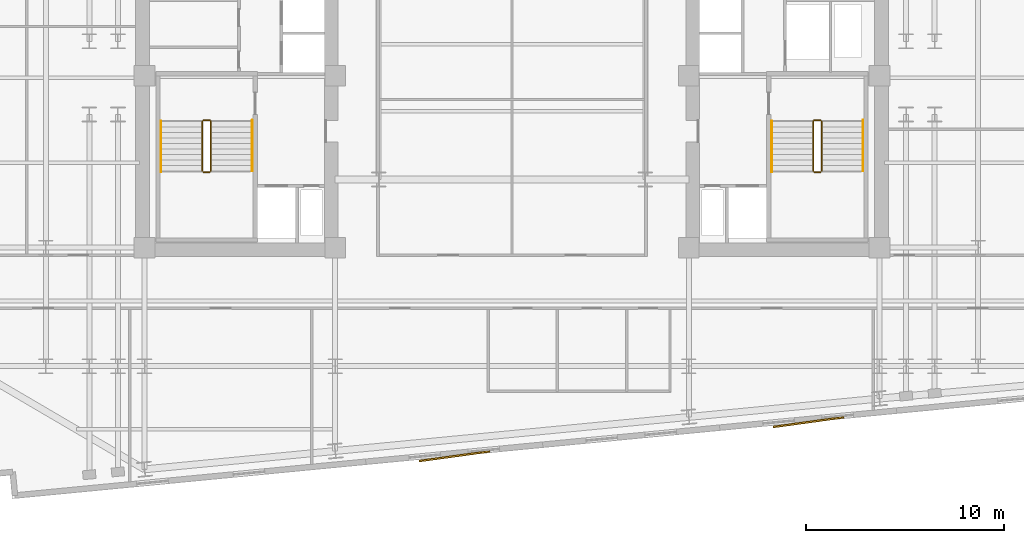
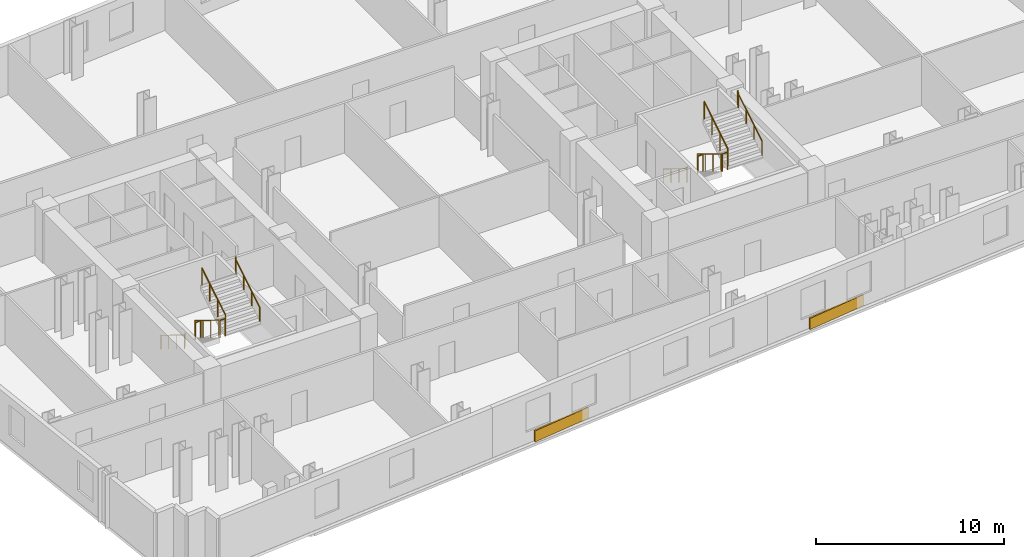
# One storey, part 10 of 11: 12 railings, 2 coverings.
"""IFC4 building model written with IfcOpenShell, lengths in metres."""

import ifcopenshell
import ifcopenshell.guid

model = None  # the IFC model being written
_history = None  # IfcOwnerHistory: only IFC2X3 demands one
_inside = {}  # id of a spatial element -> (the spatial element, [elements in it])
_under = {}  # id of a project, library or spatial element -> (it, [spatial elements below it])
_declared = {}  # id of a project -> (the project, [libraries it declares])
_typed = {}  # id of a type object -> (the type object, [elements of that type])
_made_of = {}  # id of a material, layer set ... -> (it, [elements and type objects made of it])


def new_model(schema):
    """Start an empty IFC model of exactly this schema.

    Asked for "IFC4X3", IfcOpenShell would pick the latest addendum, in which some entities
    have other attributes; the version numbers below select the first issue.
    IFC2X3 requires an IfcOwnerHistory on every rooted entity: one is made here for all.
    """
    global model, _history
    if schema == "IFC4X3":
        model = ifcopenshell.file(schema_version=(4, 3, 0, 0))
    else:
        model = ifcopenshell.file(schema=schema)
    _inside.clear()
    _under.clear()
    _declared.clear()
    _typed.clear()
    _made_of.clear()
    _history = None
    if model.schema == "IFC2X3":
        org = make("IfcOrganization", Name="unknown")
        user = make(
            "IfcPersonAndOrganization",
            ThePerson=make("IfcPerson", FamilyName="unknown"),
            TheOrganization=org,
        )
        app = make(
            "IfcApplication",
            ApplicationDeveloper=org,
            Version="unknown",
            ApplicationFullName="unknown",
            ApplicationIdentifier="unknown",
        )
        _history = make(
            "IfcOwnerHistory",
            OwningUser=user,
            OwningApplication=app,
            ChangeAction="ADDED",
            CreationDate=0,
        )
    return model


def make(cls, **values):
    """One entity of the class cls with the attributes given. An attribute that is None is left unset."""
    return model.create_entity(
        cls, **{name: value for name, value in values.items() if value is not None}
    )


def rooted(cls, **values):
    """An entity with a GlobalId (a new one), such as an element, a storey or a relation."""
    return make(cls, GlobalId=ifcopenshell.guid.new(), OwnerHistory=_history, **values)


def si_unit(unit_type, name, prefix=None):
    """IfcSIUnit, for example si_unit("LENGTHUNIT", "METRE", prefix="MILLI")."""
    return make("IfcSIUnit", UnitType=unit_type, Prefix=prefix, Name=name)


def assignment(units):
    """IfcUnitAssignment: the units of a project."""
    return None if units is None else make("IfcUnitAssignment", Units=units)


def point(xyz):
    """IfcCartesianPoint."""
    return None if xyz is None else make("IfcCartesianPoint", Coordinates=xyz)


def direction(xyz):
    """IfcDirection."""
    return None if xyz is None else make("IfcDirection", DirectionRatios=xyz)


def frame(location, z_axis=None, x_axis=None):
    """IfcAxis2Placement3D, a coordinate frame: its origin and axes. An axis left out is left unset."""
    return make(
        "IfcAxis2Placement3D",
        Location=point(location),
        Axis=direction(z_axis),
        RefDirection=direction(x_axis),
    )


def frame_2d(location, x_axis=None):
    """IfcAxis2Placement2D, a coordinate frame in the plane: its origin and x axis."""
    return make(
        "IfcAxis2Placement2D", Location=point(location), RefDirection=direction(x_axis)
    )


def origin():
    """The frame at (0, 0, 0) with its axes left unset."""
    return frame((0.0, 0.0, 0.0))


def origin_2d():
    """The frame at (0, 0) in the plane with its x axis left unset."""
    return frame_2d((0.0, 0.0))


def place(relative_to, where):
    """IfcLocalPlacement: puts the frame where relative to a parent placement (None: the world)."""
    return make(
        "IfcLocalPlacement", PlacementRelTo=relative_to, RelativePlacement=where
    )


def context(
    kind, dimensions, precision=None, world=None, true_north=None, identifier=None
):
    """IfcGeometricRepresentationContext, for example the 3D "Model" context."""
    return make(
        "IfcGeometricRepresentationContext",
        ContextIdentifier=identifier,
        ContextType=kind,
        CoordinateSpaceDimension=dimensions,
        Precision=precision,
        WorldCoordinateSystem=world,
        TrueNorth=true_north,
    )


def subcontext(parent, identifier, kind, view, scale=None):
    """IfcGeometricRepresentationSubContext, for example "Body" below "Model"."""
    return make(
        "IfcGeometricRepresentationSubContext",
        ContextIdentifier=identifier,
        ContextType=kind,
        ParentContext=parent,
        TargetScale=scale,
        TargetView=view,
    )


def project(units=None, contexts=None):
    """IfcProject with its units and contexts."""
    return rooted(
        "IfcProject",
        Name="project",
        RepresentationContexts=contexts,
        UnitsInContext=assignment(units),
    )


def spatial(cls, under=None, at=None, **own):
    """A site, building, storey or space (cls), placed at a placement, below another one or the project."""
    s = rooted(cls, ObjectPlacement=at, **own)
    if under is not None:
        _under.setdefault(under.id(), (under, []))[1].append(s)
    return s


def profile(cls, at=None, kind="AREA", **sizes):
    """A parametric profile (cls). Its sizes go by their IFC names, for example OverallWidth=200.0."""
    return make(cls, ProfileType=kind, Position=at, **sizes)


def rectangle(**sizes):
    """IfcRectangleProfileDef."""
    return profile("IfcRectangleProfileDef", **sizes)


def circle(**sizes):
    """IfcCircleProfileDef."""
    return profile("IfcCircleProfileDef", **sizes)


def extrude(swept, where, along, depth):
    """IfcExtrudedAreaSolid: the profile swept, set in the frame where, extruded along a direction by depth."""
    return make(
        "IfcExtrudedAreaSolid",
        SweptArea=swept,
        Position=where,
        ExtrudedDirection=direction(along),
        Depth=depth,
    )


def shape(context_of_items, identifier, shape_type, items):
    """IfcShapeRepresentation: the items that make up one representation, for example the "Body"."""
    return make(
        "IfcShapeRepresentation",
        ContextOfItems=context_of_items,
        RepresentationIdentifier=identifier,
        RepresentationType=shape_type,
        Items=items,
    )


def material(Name=None, Category=None):
    """IfcMaterial."""
    return make("IfcMaterial", Name=Name, Category=Category)


def layer(
    of_material, thickness, ventilated=None, Name=None, Category=None, Priority=None
):
    """IfcMaterialLayer: one layer of a wall or slab, of a material (None: an air gap)."""
    return make(
        "IfcMaterialLayer",
        Material=of_material,
        LayerThickness=thickness,
        IsVentilated=ventilated,
        Name=Name,
        Category=Category,
        Priority=Priority,
    )


def layer_set(layers, Name=None):
    """IfcMaterialLayerSet."""
    return make("IfcMaterialLayerSet", MaterialLayers=layers, LayerSetName=Name)


def made_of(thing, what):
    """Note that an element or type object is made of a material, layer set ...; save() writes the relation."""
    if what is not None:
        _made_of.setdefault(what.id(), (what, []))[1].append(thing)
    return thing


def type_object(cls, material=None, **own):
    """A type object (cls), such as IfcWallType, which elements share."""
    return made_of(rooted(cls, **own), material)


def element(
    cls,
    number,
    at=None,
    inside=None,
    cuts=None,
    type_object=None,
    material=None,
    context=None,
    identifier="Body",
    shape_type=None,
    held_by="IfcProductDefinitionShape",
    body=None,
    shapes=None,
    **own,
):
    """One element of the class cls, such as IfcWall. Its Tag is "e" and its number.

    at: its placement. inside: the storey or other place that contains it. cuts: it is an
    opening in that element (IfcRelVoidsElement). A single representation is given by context,
    identifier, shape_type and body (its items); several are given by shapes. held_by: the class
    of the entity that holds the representations. save() writes the other relations.
    """
    e = rooted(cls, Tag="e%d" % number, ObjectPlacement=at, **own)
    if body is not None:
        shapes = [shape(context, identifier, shape_type, body)]
    if shapes is not None:
        e.Representation = make(held_by, Representations=shapes)
    if inside is not None:
        _inside.setdefault(inside.id(), (inside, []))[1].append(e)
    if cuts is not None:
        rooted(
            "IfcRelVoidsElement", RelatingBuildingElement=cuts, RelatedOpeningElement=e
        )
    if type_object is not None:
        _typed.setdefault(type_object.id(), (type_object, []))[1].append(e)
    return made_of(e, material)


def aggregate(whole, parts):
    """IfcRelAggregates: a whole, such as a stair, and the parts it consists of."""
    return rooted("IfcRelAggregates", RelatingObject=whole, RelatedObjects=parts)


def save(model, path):
    """Write the relations noted so far, then the file.

    IfcRelAggregates (storeys below a building ...), IfcRelContainedInSpatialStructure (elements
    in a storey), IfcRelDefinesByType, IfcRelAssociatesMaterial and IfcRelDeclares: one each for
    every whole, place, type object, material and project.
    """
    for whole, parts in _under.values():
        aggregate(whole, parts)
    for where, things in _inside.values():
        rooted(
            "IfcRelContainedInSpatialStructure",
            RelatedElements=things,
            RelatingStructure=where,
        )
    for kind, things in _typed.values():
        rooted("IfcRelDefinesByType", RelatedObjects=things, RelatingType=kind)
    for what, things in _made_of.values():
        rooted("IfcRelAssociatesMaterial", RelatedObjects=things, RelatingMaterial=what)
    for by, libraries in _declared.values():
        rooted("IfcRelDeclares", RelatingContext=by, RelatedDefinitions=libraries)
    model.write(path)


model = new_model("IFC4")

# Units and contexts
model_context = context("Model", 3, precision=1e-05, world=origin(), true_north=direction((0.0, 1.0)))
body_context = subcontext(model_context, "Body", "Model", "MODEL_VIEW")
ifc_project = project(units=[si_unit("LENGTHUNIT", "METRE"), si_unit("AREAUNIT", "SQUARE_METRE"), si_unit("VOLUMEUNIT", "CUBIC_METRE"), si_unit("PLANEANGLEUNIT", "RADIAN"), si_unit("MASSUNIT", "GRAM", prefix="KILO")], contexts=[model_context])

# Site, building, storey
site_placement = place(None, origin())
site = spatial("IfcSite", under=ifc_project, at=site_placement, CompositionType="ELEMENT")
building_placement = place(site_placement, origin())
building = spatial("IfcBuilding", under=site, at=building_placement, Name="Velakula Bourse", CompositionType="ELEMENT")
storey_placement = place(building_placement, frame((0.0, 0.0, 105.25)))
storey = spatial("IfcBuildingStorey", under=building, at=storey_placement, Name="L28", CompositionType="ELEMENT", Elevation=105.25)

# Coverings
ifc_material_1 = material(Name="Buff kilned clay facing brick masonry", Category="masonry")
ifc_layer = layer(ifc_material_1, 0.074951171875, Name="Buff kilned clay facing brick masonry", Category="masonry")
ifc_layer_set = layer_set([ifc_layer], Name="Buff kilned clay facing brick masonry")
covering_type = type_object("IfcCoveringType", Name="COV-BRK-SPN-75", PredefinedType="CLADDING", material=ifc_layer_set)
for number, where, z_axis, x_axis, name in (
    (1, (-2.908447265625, -19.154052734375, 0.0), (0.0, 0.0, 1.0), (0.990629029058, 0.136580111242, 0.0), "L28 Folded Brick Facade Cladding Panel S-B2"),
    (2, (15.0087890625, -17.428955078125, 0.0), (0.0, 0.0, 1.0), (0.990629029058, 0.136580111242, 0.0), "L28 Folded Brick Facade Cladding Panel S-B4"),
):
    element("IfcCovering", number, at=place(storey_placement, frame(where, z_axis=z_axis, x_axis=x_axis)), inside=storey, type_object=covering_type, Name=name, PredefinedType="CLADDING", context=body_context, shape_type="SweptSolid", body=[
        extrude(rectangle(XDim=3.60009765625, YDim=0.090087890625, at=origin_2d()), origin(), (0.0, 0.0, 1.0), 0.719970703125),
    ])

# Railings
ifc_material_2 = material(Name="Brushed grade 316 stainless steel", Category="steel")
railing_type_1 = type_object("IfcRailingType", Name="RLG-STAIR-GUARD-1150", PredefinedType="BALUSTRADE", material=ifc_material_2)
railing_1_placement = place(storey_placement, frame((-15.672119140625, -2.199951171875, 0.172607421875)))
element("IfcRailing", 3, at=railing_1_placement, inside=storey, type_object=railing_type_1, Name="L28 ST-W1 stair guard 1", PredefinedType="BALUSTRADE", context=body_context, shape_type="SweptSolid", body=[
    extrude(circle(Radius=0.02490234375, at=origin_2d()), frame((0.0, 0.0, 1.125), z_axis=(0.0, -0.851400495292, 0.524516154772), x_axis=(1.0, 0.0, 0.0)), (0.0, 0.0, 1.0), 2.9599609375),
    extrude(circle(Radius=0.02099609375, at=origin_2d()), origin(), (0.0, 0.0, 1.0), 1.099853515625),
    extrude(circle(Radius=0.02099609375, at=origin_2d()), frame((0.0, -0.840087890625, 0.517578125)), (0.0, 0.0, 1.0), 1.099853515625),
    extrude(circle(Radius=0.02099609375, at=origin_2d()), frame((0.0, -1.679931640625, 1.034912109375)), (0.0, 0.0, 1.0), 1.099853515625),
    extrude(circle(Radius=0.02099609375, at=origin_2d()), frame((0.0, -2.52001953125, 1.552490234375)), (0.0, 0.0, 1.0), 1.099853515625),
])
railing_2_placement = place(storey_placement, frame((-15.6220703125, -4.77001953125, 1.72509765625)))
element("IfcRailing", 4, at=railing_2_placement, inside=storey, type_object=railing_type_1, Name="L28 ST-W1 stair guard 2", PredefinedType="BALUSTRADE", context=body_context, shape_type="SweptSolid", body=[
    extrude(circle(Radius=0.02490234375, at=origin_2d()), frame((0.0, 0.0, 1.125), z_axis=(1.0, 0.0, 0.0), x_axis=(0.0, 1.0, 0.0)), (0.0, 0.0, 1.0), 0.323974609375),
    extrude(circle(Radius=0.02099609375, at=origin_2d()), origin(), (0.0, 0.0, 1.0), 1.099853515625),
    extrude(circle(Radius=0.02099609375, at=origin_2d()), frame((0.323974609375, 0.0, 0.0)), (0.0, 0.0, 1.0), 1.099853515625),
])
railing_3_placement = place(storey_placement, frame((-15.248046875, -4.719970703125, 1.8974609375)))
element("IfcRailing", 5, at=railing_3_placement, inside=storey, type_object=railing_type_1, Name="L28 ST-W1 stair guard 3", PredefinedType="BALUSTRADE", context=body_context, shape_type="SweptSolid", body=[
    extrude(circle(Radius=0.02490234375, at=origin_2d()), frame((0.0, 0.0, 1.125), z_axis=(0.0, 0.851400495292, 0.524516154772), x_axis=(-1.0, 0.0, 0.0)), (0.0, 0.0, 1.0), 2.9599609375),
    extrude(circle(Radius=0.02099609375, at=origin_2d()), origin(), (0.0, 0.0, 1.0), 1.099853515625),
    extrude(circle(Radius=0.02099609375, at=origin_2d()), frame((0.0, 0.840087890625, 0.517578125)), (0.0, 0.0, 1.0), 1.099853515625),
    extrude(circle(Radius=0.02099609375, at=origin_2d()), frame((0.0, 1.679931640625, 1.034912109375)), (0.0, 0.0, 1.0), 1.099853515625),
    extrude(circle(Radius=0.02099609375, at=origin_2d()), frame((0.0, 2.52001953125, 1.552490234375)), (0.0, 0.0, 1.0), 1.099853515625),
])
railing_4_placement = place(storey_placement, frame((-15.6220703125, -2.14990234375, 0.0)))
element("IfcRailing", 6, at=railing_4_placement, inside=storey, type_object=railing_type_1, Name="L28 ST-W1 stair guard 4", PredefinedType="BALUSTRADE", context=body_context, shape_type="SweptSolid", body=[
    extrude(circle(Radius=0.02490234375, at=origin_2d()), frame((0.0, 0.0, 1.125), z_axis=(1.0, 0.0, 0.0), x_axis=(0.0, 1.0, 0.0)), (0.0, 0.0, 1.0), 0.323974609375),
    extrude(circle(Radius=0.02099609375, at=origin_2d()), origin(), (0.0, 0.0, 1.0), 1.099853515625),
    extrude(circle(Radius=0.02099609375, at=origin_2d()), frame((0.323974609375, 0.0, 0.0)), (0.0, 0.0, 1.0), 1.099853515625),
])
railing_5_placement = place(storey_placement, frame((15.248046875, -2.199951171875, 0.172607421875)))
element("IfcRailing", 7, at=railing_5_placement, inside=storey, type_object=railing_type_1, Name="L28 ST-E1 stair guard 1", PredefinedType="BALUSTRADE", context=body_context, shape_type="SweptSolid", body=[
    extrude(circle(Radius=0.02490234375, at=origin_2d()), frame((0.0, 0.0, 1.125), z_axis=(0.0, -0.851400495292, 0.524516154772), x_axis=(1.0, 0.0, 0.0)), (0.0, 0.0, 1.0), 2.9599609375),
    extrude(circle(Radius=0.02099609375, at=origin_2d()), origin(), (0.0, 0.0, 1.0), 1.099853515625),
    extrude(circle(Radius=0.02099609375, at=origin_2d()), frame((0.0, -0.840087890625, 0.517578125)), (0.0, 0.0, 1.0), 1.099853515625),
    extrude(circle(Radius=0.02099609375, at=origin_2d()), frame((0.0, -1.679931640625, 1.034912109375)), (0.0, 0.0, 1.0), 1.099853515625),
    extrude(circle(Radius=0.02099609375, at=origin_2d()), frame((0.0, -2.52001953125, 1.552490234375)), (0.0, 0.0, 1.0), 1.099853515625),
])
railing_6_placement = place(storey_placement, frame((15.298095703125, -4.77001953125, 1.72509765625)))
element("IfcRailing", 8, at=railing_6_placement, inside=storey, type_object=railing_type_1, Name="L28 ST-E1 stair guard 2", PredefinedType="BALUSTRADE", context=body_context, shape_type="SweptSolid", body=[
    extrude(circle(Radius=0.02490234375, at=origin_2d()), frame((0.0, 0.0, 1.125), z_axis=(1.0, 0.0, 0.0), x_axis=(0.0, 1.0, 0.0)), (0.0, 0.0, 1.0), 0.323974609375),
    extrude(circle(Radius=0.02099609375, at=origin_2d()), origin(), (0.0, 0.0, 1.0), 1.099853515625),
    extrude(circle(Radius=0.02099609375, at=origin_2d()), frame((0.323974609375, 0.0, 0.0)), (0.0, 0.0, 1.0), 1.099853515625),
])
railing_7_placement = place(storey_placement, frame((15.672119140625, -4.719970703125, 1.8974609375)))
element("IfcRailing", 9, at=railing_7_placement, inside=storey, type_object=railing_type_1, Name="L28 ST-E1 stair guard 3", PredefinedType="BALUSTRADE", context=body_context, shape_type="SweptSolid", body=[
    extrude(circle(Radius=0.02490234375, at=origin_2d()), frame((0.0, 0.0, 1.125), z_axis=(0.0, 0.851400495292, 0.524516154772), x_axis=(-1.0, 0.0, 0.0)), (0.0, 0.0, 1.0), 2.9599609375),
    extrude(circle(Radius=0.02099609375, at=origin_2d()), origin(), (0.0, 0.0, 1.0), 1.099853515625),
    extrude(circle(Radius=0.02099609375, at=origin_2d()), frame((0.0, 0.840087890625, 0.517578125)), (0.0, 0.0, 1.0), 1.099853515625),
    extrude(circle(Radius=0.02099609375, at=origin_2d()), frame((0.0, 1.679931640625, 1.034912109375)), (0.0, 0.0, 1.0), 1.099853515625),
    extrude(circle(Radius=0.02099609375, at=origin_2d()), frame((0.0, 2.52001953125, 1.552490234375)), (0.0, 0.0, 1.0), 1.099853515625),
])
railing_8_placement = place(storey_placement, frame((15.298095703125, -2.14990234375, 0.0)))
element("IfcRailing", 10, at=railing_8_placement, inside=storey, type_object=railing_type_1, Name="L28 ST-E1 stair guard 4", PredefinedType="BALUSTRADE", context=body_context, shape_type="SweptSolid", body=[
    extrude(circle(Radius=0.02490234375, at=origin_2d()), frame((0.0, 0.0, 1.125), z_axis=(1.0, 0.0, 0.0), x_axis=(0.0, 1.0, 0.0)), (0.0, 0.0, 1.0), 0.323974609375),
    extrude(circle(Radius=0.02099609375, at=origin_2d()), origin(), (0.0, 0.0, 1.0), 1.099853515625),
    extrude(circle(Radius=0.02099609375, at=origin_2d()), frame((0.323974609375, 0.0, 0.0)), (0.0, 0.0, 1.0), 1.099853515625),
])
railing_type_2 = type_object("IfcRailingType", Name="RLG-STAIR-HAND-920", PredefinedType="HANDRAIL", material=ifc_material_2)
railing_9_placement = place(storey_placement, frame((-17.77001953125, -2.199951171875, 0.172607421875)))
element("IfcRailing", 11, at=railing_9_placement, inside=storey, type_object=railing_type_2, Name="L28 ST-W1 stair handrail 1", PredefinedType="HANDRAIL", context=body_context, shape_type="SweptSolid", body=[
    extrude(circle(Radius=0.02099609375, at=origin_2d()), frame((0.0, 0.0, 0.89892578125), z_axis=(0.0, -0.851400495292, 0.524516154772), x_axis=(1.0, 0.0, 0.0)), (0.0, 0.0, 1.0), 2.9599609375),
    extrude(circle(Radius=0.02099609375, at=origin_2d()), frame((0.0, -2.52001953125, 2.451416015625), z_axis=(0.0, -0.226269970362, 0.974064628509), x_axis=(1.0, 0.0, 0.0)), (0.0, 0.0, 1.0), 0.177001953125),
    extrude(circle(Radius=0.02099609375, at=origin_2d()), frame((0.0, -2.56005859375, 2.623779296875), z_axis=(0.0, -1.0, 0.0), x_axis=(1.0, 0.0, 0.0)), (0.0, 0.0, 1.0), 0.0048828125),
    extrude(circle(Radius=0.02099609375, at=origin_2d()), origin(), (0.0, 0.0, 1.0), 0.8779296875),
    extrude(circle(Radius=0.02099609375, at=origin_2d()), frame((0.0, -0.840087890625, 0.517578125)), (0.0, 0.0, 1.0), 0.8779296875),
    extrude(circle(Radius=0.02099609375, at=origin_2d()), frame((0.0, -1.679931640625, 1.034912109375)), (0.0, 0.0, 1.0), 0.8779296875),
    extrude(circle(Radius=0.02099609375, at=origin_2d()), frame((0.0, -2.52001953125, 1.552490234375)), (0.0, 0.0, 1.0), 0.8779296875),
    extrude(circle(Radius=0.02099609375, at=origin_2d()), frame((0.0, -2.56005859375, 1.724853515625)), (0.0, 0.0, 1.0), 0.8779296875),
    extrude(circle(Radius=0.02099609375, at=origin_2d()), frame((0.0, -2.56494140625, 1.724853515625)), (0.0, 0.0, 1.0), 0.8779296875),
])
railing_10_placement = place(storey_placement, frame((-13.14990234375, -4.719970703125, 1.8974609375)))
element("IfcRailing", 12, at=railing_10_placement, inside=storey, type_object=railing_type_2, Name="L28 ST-W1 stair handrail 2", PredefinedType="HANDRAIL", context=body_context, shape_type="SweptSolid", body=[
    extrude(circle(Radius=0.02099609375, at=origin_2d()), frame((0.0, 0.0, 0.89892578125), z_axis=(0.0, 0.851400495292, 0.524516154772), x_axis=(-1.0, 0.0, 0.0)), (0.0, 0.0, 1.0), 2.9599609375),
    extrude(circle(Radius=0.02099609375, at=origin_2d()), frame((0.0, 2.52001953125, 2.451416015625), z_axis=(0.0, 0.22596628056, 0.974135124123), x_axis=(-1.0, 0.0, 0.0)), (0.0, 0.0, 1.0), 0.17724609375),
    extrude(circle(Radius=0.02099609375, at=origin_2d()), frame((0.0, 2.56005859375, 2.6240234375), z_axis=(0.0, 1.0, 0.0), x_axis=(-1.0, 0.0, 0.0)), (0.0, 0.0, 1.0), 0.0048828125),
    extrude(circle(Radius=0.02099609375, at=origin_2d()), origin(), (0.0, 0.0, 1.0), 0.8779296875),
    extrude(circle(Radius=0.02099609375, at=origin_2d()), frame((0.0, 0.840087890625, 0.517578125)), (0.0, 0.0, 1.0), 0.8779296875),
    extrude(circle(Radius=0.02099609375, at=origin_2d()), frame((0.0, 1.679931640625, 1.034912109375)), (0.0, 0.0, 1.0), 0.8779296875),
    extrude(circle(Radius=0.02099609375, at=origin_2d()), frame((0.0, 2.52001953125, 1.552490234375)), (0.0, 0.0, 1.0), 0.8779296875),
    extrude(circle(Radius=0.02099609375, at=origin_2d()), frame((0.0, 2.56005859375, 1.72509765625)), (0.0, 0.0, 1.0), 0.8779296875),
    extrude(circle(Radius=0.02099609375, at=origin_2d()), frame((0.0, 2.56494140625, 1.72509765625)), (0.0, 0.0, 1.0), 0.8779296875),
])
railing_11_placement = place(storey_placement, frame((13.14990234375, -2.199951171875, 0.172607421875)))
element("IfcRailing", 13, at=railing_11_placement, inside=storey, type_object=railing_type_2, Name="L28 ST-E1 stair handrail 1", PredefinedType="HANDRAIL", context=body_context, shape_type="SweptSolid", body=[
    extrude(circle(Radius=0.02099609375, at=origin_2d()), frame((0.0, 0.0, 0.89892578125), z_axis=(0.0, -0.851400495292, 0.524516154772), x_axis=(1.0, 0.0, 0.0)), (0.0, 0.0, 1.0), 2.9599609375),
    extrude(circle(Radius=0.02099609375, at=origin_2d()), frame((0.0, -2.52001953125, 2.451416015625), z_axis=(0.0, -0.226269970362, 0.974064628509), x_axis=(1.0, 0.0, 0.0)), (0.0, 0.0, 1.0), 0.177001953125),
    extrude(circle(Radius=0.02099609375, at=origin_2d()), frame((0.0, -2.56005859375, 2.623779296875), z_axis=(0.0, -1.0, 0.0), x_axis=(1.0, 0.0, 0.0)), (0.0, 0.0, 1.0), 0.0048828125),
    extrude(circle(Radius=0.02099609375, at=origin_2d()), origin(), (0.0, 0.0, 1.0), 0.8779296875),
    extrude(circle(Radius=0.02099609375, at=origin_2d()), frame((0.0, -0.840087890625, 0.517578125)), (0.0, 0.0, 1.0), 0.8779296875),
    extrude(circle(Radius=0.02099609375, at=origin_2d()), frame((0.0, -1.679931640625, 1.034912109375)), (0.0, 0.0, 1.0), 0.8779296875),
    extrude(circle(Radius=0.02099609375, at=origin_2d()), frame((0.0, -2.52001953125, 1.552490234375)), (0.0, 0.0, 1.0), 0.8779296875),
    extrude(circle(Radius=0.02099609375, at=origin_2d()), frame((0.0, -2.56005859375, 1.724853515625)), (0.0, 0.0, 1.0), 0.8779296875),
    extrude(circle(Radius=0.02099609375, at=origin_2d()), frame((0.0, -2.56494140625, 1.724853515625)), (0.0, 0.0, 1.0), 0.8779296875),
])
railing_12_placement = place(storey_placement, frame((17.77001953125, -4.719970703125, 1.8974609375)))
element("IfcRailing", 14, at=railing_12_placement, inside=storey, type_object=railing_type_2, Name="L28 ST-E1 stair handrail 2", PredefinedType="HANDRAIL", context=body_context, shape_type="SweptSolid", body=[
    extrude(circle(Radius=0.02099609375, at=origin_2d()), frame((0.0, 0.0, 0.89892578125), z_axis=(0.0, 0.851400495292, 0.524516154772), x_axis=(-1.0, 0.0, 0.0)), (0.0, 0.0, 1.0), 2.9599609375),
    extrude(circle(Radius=0.02099609375, at=origin_2d()), frame((0.0, 2.52001953125, 2.451416015625), z_axis=(0.0, 0.22596628056, 0.974135124123), x_axis=(-1.0, 0.0, 0.0)), (0.0, 0.0, 1.0), 0.17724609375),
    extrude(circle(Radius=0.02099609375, at=origin_2d()), frame((0.0, 2.56005859375, 2.6240234375), z_axis=(0.0, 1.0, 0.0), x_axis=(-1.0, 0.0, 0.0)), (0.0, 0.0, 1.0), 0.0048828125),
    extrude(circle(Radius=0.02099609375, at=origin_2d()), origin(), (0.0, 0.0, 1.0), 0.8779296875),
    extrude(circle(Radius=0.02099609375, at=origin_2d()), frame((0.0, 0.840087890625, 0.517578125)), (0.0, 0.0, 1.0), 0.8779296875),
    extrude(circle(Radius=0.02099609375, at=origin_2d()), frame((0.0, 1.679931640625, 1.034912109375)), (0.0, 0.0, 1.0), 0.8779296875),
    extrude(circle(Radius=0.02099609375, at=origin_2d()), frame((0.0, 2.52001953125, 1.552490234375)), (0.0, 0.0, 1.0), 0.8779296875),
    extrude(circle(Radius=0.02099609375, at=origin_2d()), frame((0.0, 2.56005859375, 1.72509765625)), (0.0, 0.0, 1.0), 0.8779296875),
    extrude(circle(Radius=0.02099609375, at=origin_2d()), frame((0.0, 2.56494140625, 1.72509765625)), (0.0, 0.0, 1.0), 0.8779296875),
])

save(model, "model.ifc")
